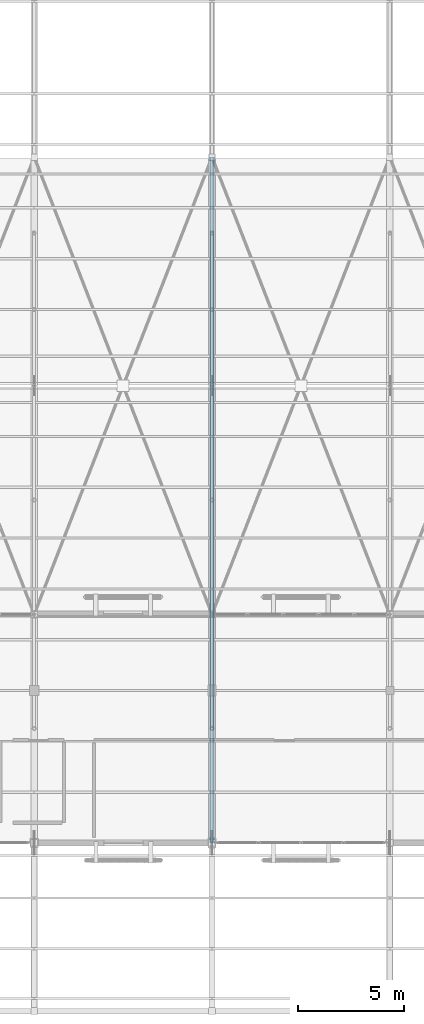
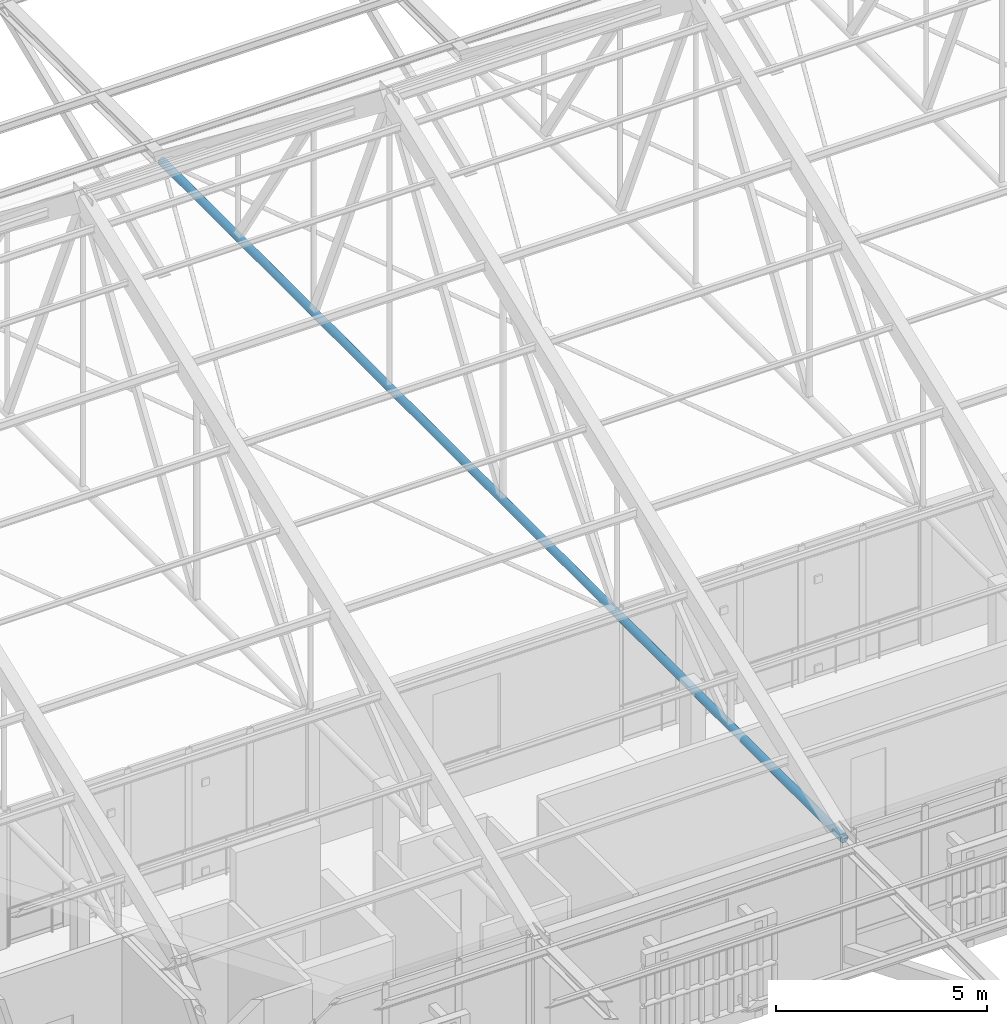
# One storey, part 93 of 217: 1 member.
"""IFC4 building model written with IfcOpenShell, lengths in metres."""

from ifc_helpers import new_model, si_unit, direction, frame, origin, origin_2d, place, context, subcontext, project, spatial, hollow_circle, extrude, material, material_profile, profile_set, type_object, element, save


model = new_model("IFC4")

# Units and contexts
model_context = context("Model", 3, precision=1e-05, world=origin(), true_north=direction((0.0, 1.0)))
body_context = subcontext(model_context, "Body", "Model", "MODEL_VIEW")
ifc_project = project(units=[si_unit("LENGTHUNIT", "METRE"), si_unit("AREAUNIT", "SQUARE_METRE"), si_unit("VOLUMEUNIT", "CUBIC_METRE"), si_unit("PLANEANGLEUNIT", "RADIAN"), si_unit("MASSUNIT", "GRAM", prefix="KILO")], contexts=[model_context])

# Site, building, storey
site_placement = place(None, origin())
site = spatial("IfcSite", under=ifc_project, at=site_placement, CompositionType="ELEMENT")
building_placement = place(site_placement, origin())
building = spatial("IfcBuilding", under=site, at=building_placement, Name="Mazaris Harbour Polytechnic", CompositionType="ELEMENT")
storey_placement = place(building_placement, frame((0.0, 0.0, 9.60009765625)))
storey = spatial("IfcBuildingStorey", under=building, at=storey_placement, Name="L02", CompositionType="ELEMENT", Elevation=9.60009765625)

# Member
ifc_material = material(Name="Steel S355", Category="steel")
ifc_material_profile = material_profile(ifc_material, hollow_circle(Radius=0.109619140625, WallThickness=0.010009765625, at=origin_2d()), Name="CHS 219.1x10.0")
ifc_profile_set = profile_set([ifc_material_profile], Name="Steel S355")
member_type = type_object("IfcMemberType", Name="Steel Tie Chord CHS219", PredefinedType="CHORD", material=ifc_profile_set)
member_placement = place(storey_placement, frame((87.60009765625, 75.60009765625, 3.75), z_axis=(0.0, 1.0, 0.0), x_axis=(-1.0, 0.0, 0.0)))
element("IfcMember", 1, at=member_placement, inside=storey, type_object=member_type, Name="Truss 5 Continuous Tie Chord", PredefinedType="CHORD", context=body_context, shape_type="SweptSolid", body=[
    extrude(hollow_circle(Radius=0.109619140625, WallThickness=0.010009765625, at=origin_2d()), origin(), (0.0, 0.0, 1.0), 32.39990234375),
])

save(model, "model.ifc")
